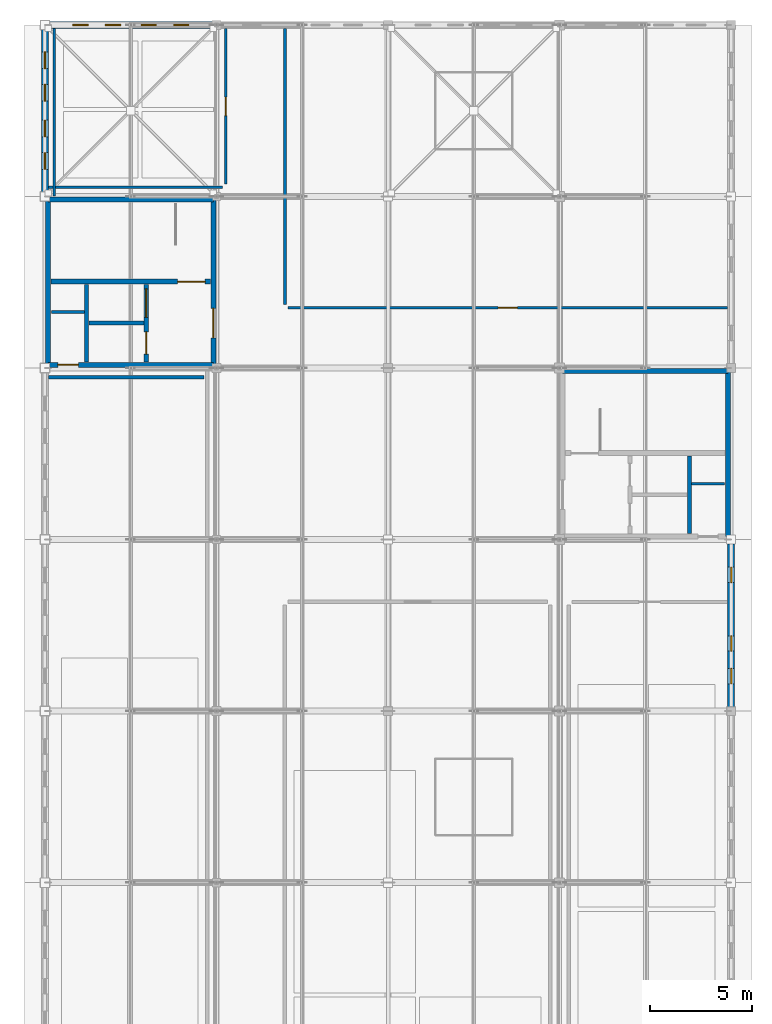
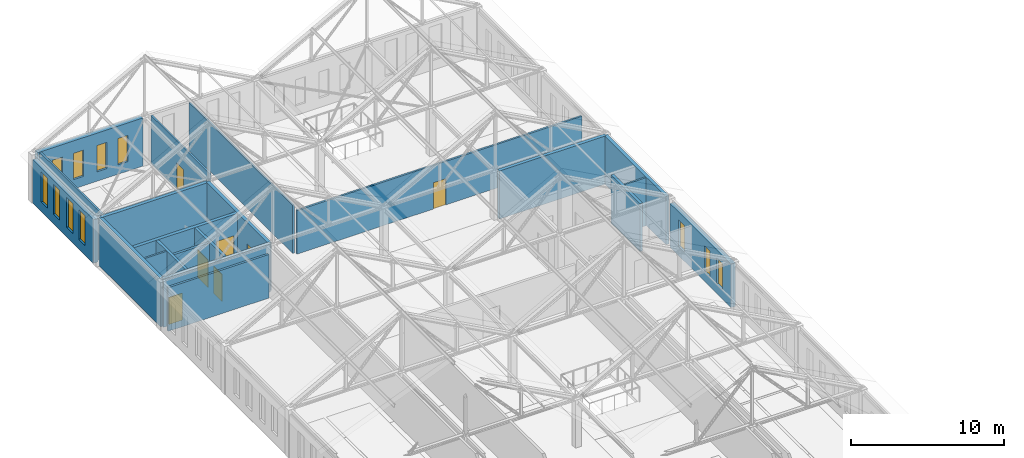
# One storey, part 34 of 36: 22 walls, 11 windows, 7 doors, 18 openings.
"""IFC4 building model written with IfcOpenShell, lengths in metres."""

from ifc_helpers import new_model, si_unit, direction, frame, frame_2d, origin, place, context, subcontext, project, spatial, rectangle, extrude, material, layer, layer_set, type_object, element, fill, save


model = new_model("IFC4")

# Units and contexts
model_context = context("Model", 3, precision=1e-05, world=origin(), true_north=direction((0.0, 1.0)))
body_context = subcontext(model_context, "Body", "Model", "MODEL_VIEW")
ifc_project = project(units=[si_unit("LENGTHUNIT", "METRE"), si_unit("AREAUNIT", "SQUARE_METRE"), si_unit("VOLUMEUNIT", "CUBIC_METRE"), si_unit("PLANEANGLEUNIT", "RADIAN"), si_unit("MASSUNIT", "GRAM", prefix="KILO")], contexts=[model_context])

# Site, building, storey
site_placement = place(None, origin())
site = spatial("IfcSite", under=ifc_project, at=site_placement, CompositionType="ELEMENT")
building_placement = place(site_placement, origin())
building = spatial("IfcBuilding", under=site, at=building_placement, Name="Kveldsbrygga Polytechnic", CompositionType="ELEMENT")
storey_placement = place(building_placement, frame((0.0, 0.0, 26.179931640625)))
storey = spatial("IfcBuildingStorey", under=building, at=storey_placement, Name="L06", CompositionType="ELEMENT", Elevation=26.179931640625)

# Wall, openings, windows
ifc_material_1 = material(Name="Fired clay brick masonry M10", Category="masonry")
ifc_layer_1 = layer(ifc_material_1, 0.340087890625)
ifc_layer_set_1 = layer_set([ifc_layer_1], Name="Fired clay brick masonry M10")
wall_type_1 = type_object("IfcWallType", Name="EW-BRICK-340", PredefinedType="SOLIDWALL", material=ifc_layer_set_1)
wall_1_placement = place(storey_placement, frame((126.22509765625, 100.800048828125, 0.0), z_axis=(0.0, 0.0, 1.0), x_axis=(1.0, 0.0, 0.0)))
wall_1 = element("IfcWall", 1, at=wall_1_placement, inside=storey, type_object=wall_type_1, Name="Exterior Brick Wall EW-L06-X-15-12", PredefinedType="SOLIDWALL", context=body_context, shape_type="SweptSolid", body=[
    extrude(rectangle(XDim=7.96484375, YDim=0.340087890625, at=frame_2d((3.982421875, 0.0))), origin(), (0.0, 0.0, 1.0), 3.840087890625),
])
opening_1_placement = place(wall_1_placement, frame((1.138427734375, 0.0, 0.75)))
opening_1 = element("IfcOpeningElement", 2, at=opening_1_placement, cuts=wall_1, Name="Opening W-27", PredefinedType="OPENING", context=body_context, shape_type="SweptSolid", body=[
    extrude(rectangle(XDim=0.75, YDim=2.10009765625, at=frame_2d((0.375, 1.050048828125))), frame((0.0, 0.18017578125, 0.0), z_axis=(0.0, -1.0, 0.0), x_axis=(1.0, 0.0, 0.0)), (0.0, 0.0, 1.0), 0.360107421875),
])
opening_2_placement = place(wall_1_placement, frame((2.7314453125, 0.0, 0.75)))
opening_2 = element("IfcOpeningElement", 3, at=opening_2_placement, cuts=wall_1, Name="Opening W-27", PredefinedType="OPENING", context=body_context, shape_type="SweptSolid", body=[
    extrude(rectangle(XDim=0.75, YDim=2.10009765625, at=frame_2d((0.375, 1.050048828125))), frame((0.0, 0.18017578125, 0.0), z_axis=(0.0, -1.0, 0.0), x_axis=(1.0, 0.0, 0.0)), (0.0, 0.0, 1.0), 0.360107421875),
])
opening_3_placement = place(wall_1_placement, frame((4.483642578125, 0.0, 0.75)))
opening_3 = element("IfcOpeningElement", 4, at=opening_3_placement, cuts=wall_1, Name="Opening W-27", PredefinedType="OPENING", context=body_context, shape_type="SweptSolid", body=[
    extrude(rectangle(XDim=0.75, YDim=2.10009765625, at=frame_2d((0.375, 1.050048828125))), frame((0.0, 0.18017578125, 0.0), z_axis=(0.0, -1.0, 0.0), x_axis=(1.0, 0.0, 0.0)), (0.0, 0.0, 1.0), 0.360107421875),
])
opening_4_placement = place(wall_1_placement, frame((6.07666015625, 0.0, 0.75)))
opening_4 = element("IfcOpeningElement", 5, at=opening_4_placement, cuts=wall_1, Name="Opening W-27", PredefinedType="OPENING", context=body_context, shape_type="SweptSolid", body=[
    extrude(rectangle(XDim=0.75, YDim=2.10009765625, at=frame_2d((0.375, 1.050048828125))), frame((0.0, 0.18017578125, 0.0), z_axis=(0.0, -1.0, 0.0), x_axis=(1.0, 0.0, 0.0)), (0.0, 0.0, 1.0), 0.360107421875),
])
ifc_material_2 = material(Name="Insulated triple low-E glass", Category="glass")
window_type_1 = type_object("IfcWindowType", Name="WN-ATTIC-075x210", PartitioningType="DOUBLE_PANEL_VERTICAL", PredefinedType="WINDOW", material=ifc_material_2)
window_1_placement = place(opening_1_placement, origin())
window_1 = element("IfcWindow", 6, at=window_1_placement, inside=storey, type_object=window_type_1, Name="Gothic Lancet Window WIN-L06-X-15-12-1", OverallHeight=2.10009765625, OverallWidth=0.75, PartitioningType="DOUBLE_PANEL_VERTICAL", PredefinedType="WINDOW", context=body_context, shape_type="SweptSolid", body=[
    extrude(rectangle(XDim=0.75, YDim=2.10009765625, at=frame_2d((0.375, 1.050048828125))), frame((0.0, 0.030029296875, 0.0), z_axis=(0.0, -1.0, 0.0), x_axis=(1.0, 0.0, 0.0)), (0.0, 0.0, 1.0), 0.06005859375),
])
fill(opening_1, window_1)
window_2_placement = place(opening_2_placement, origin())
window_2 = element("IfcWindow", 7, at=window_2_placement, inside=storey, type_object=window_type_1, Name="Gothic Lancet Window WIN-L06-X-15-12-2", OverallHeight=2.10009765625, OverallWidth=0.75, PartitioningType="DOUBLE_PANEL_VERTICAL", PredefinedType="WINDOW", context=body_context, shape_type="SweptSolid", body=[
    extrude(rectangle(XDim=0.75, YDim=2.10009765625, at=frame_2d((0.375, 1.050048828125))), frame((0.0, 0.030029296875, 0.0), z_axis=(0.0, -1.0, 0.0), x_axis=(1.0, 0.0, 0.0)), (0.0, 0.0, 1.0), 0.06005859375),
])
fill(opening_2, window_2)
window_3_placement = place(opening_3_placement, origin())
window_3 = element("IfcWindow", 8, at=window_3_placement, inside=storey, type_object=window_type_1, Name="Gothic Lancet Window WIN-L06-X-15-12-3", OverallHeight=2.10009765625, OverallWidth=0.75, PartitioningType="DOUBLE_PANEL_VERTICAL", PredefinedType="WINDOW", context=body_context, shape_type="SweptSolid", body=[
    extrude(rectangle(XDim=0.75, YDim=2.10009765625, at=frame_2d((0.375, 1.050048828125))), frame((0.0, 0.030029296875, 0.0), z_axis=(0.0, -1.0, 0.0), x_axis=(1.0, 0.0, 0.0)), (0.0, 0.0, 1.0), 0.06005859375),
])
fill(opening_3, window_3)
window_4_placement = place(opening_4_placement, origin())
window_4 = element("IfcWindow", 9, at=window_4_placement, inside=storey, type_object=window_type_1, Name="Gothic Lancet Window WIN-L06-X-15-12-4", OverallHeight=2.10009765625, OverallWidth=0.75, PartitioningType="DOUBLE_PANEL_VERTICAL", PredefinedType="WINDOW", context=body_context, shape_type="SweptSolid", body=[
    extrude(rectangle(XDim=0.75, YDim=2.10009765625, at=frame_2d((0.375, 1.050048828125))), frame((0.0, 0.030029296875, 0.0), z_axis=(0.0, -1.0, 0.0), x_axis=(1.0, 0.0, 0.0)), (0.0, 0.0, 1.0), 0.06005859375),
])
fill(opening_4, window_4)

wall_2_placement = place(storey_placement, frame((126.0, 92.625, 0.0), z_axis=(0.0, 0.0, 1.0), x_axis=(0.0, 1.0, 0.0)))
wall_2 = element("IfcWall", 10, at=wall_2_placement, inside=storey, type_object=wall_type_1, Name="Exterior Brick Wall EW-L06-Y-15-11", PredefinedType="SOLIDWALL", context=body_context, shape_type="SweptSolid", body=[
    extrude(rectangle(XDim=7.949951171875, YDim=0.340087890625, at=frame_2d((3.97509765625, 0.0))), origin(), (0.0, 0.0, 1.0), 3.47998046875),
])
opening_5_placement = place(wall_2_placement, frame((1.1005859375, 0.0, 0.75)))
opening_5 = element("IfcOpeningElement", 11, at=opening_5_placement, cuts=wall_2, Name="Opening W-12", PredefinedType="OPENING", context=body_context, shape_type="SweptSolid", body=[
    extrude(rectangle(XDim=0.820068359375, YDim=2.39990234375, at=frame_2d((0.41015625, 1.199951171875))), frame((0.0, 0.18017578125, 0.0), z_axis=(0.0, -1.0, 0.0), x_axis=(1.0, 0.0, 0.0)), (0.0, 0.0, 1.0), 0.360107421875),
])
opening_6_placement = place(wall_2_placement, frame((2.6904296875, 0.0, 0.75)))
opening_6 = element("IfcOpeningElement", 12, at=opening_6_placement, cuts=wall_2, Name="Opening W-12", PredefinedType="OPENING", context=body_context, shape_type="SweptSolid", body=[
    extrude(rectangle(XDim=0.820068359375, YDim=2.39990234375, at=frame_2d((0.41015625, 1.199951171875))), frame((0.0, 0.18017578125, 0.0), z_axis=(0.0, -1.0, 0.0), x_axis=(1.0, 0.0, 0.0)), (0.0, 0.0, 1.0), 0.360107421875),
])
opening_7_placement = place(wall_2_placement, frame((4.439453125, 0.0, 0.75)))
opening_7 = element("IfcOpeningElement", 13, at=opening_7_placement, cuts=wall_2, Name="Opening W-12", PredefinedType="OPENING", context=body_context, shape_type="SweptSolid", body=[
    extrude(rectangle(XDim=0.820068359375, YDim=2.39990234375, at=frame_2d((0.41015625, 1.199951171875))), frame((0.0, 0.18017578125, 0.0), z_axis=(0.0, -1.0, 0.0), x_axis=(1.0, 0.0, 0.0)), (0.0, 0.0, 1.0), 0.360107421875),
])
opening_8_placement = place(wall_2_placement, frame((6.029541015625, 0.0, 0.75)))
opening_8 = element("IfcOpeningElement", 14, at=opening_8_placement, cuts=wall_2, Name="Opening W-12", PredefinedType="OPENING", context=body_context, shape_type="SweptSolid", body=[
    extrude(rectangle(XDim=0.820068359375, YDim=2.39990234375, at=frame_2d((0.41015625, 1.199951171875))), frame((0.0, 0.18017578125, 0.0), z_axis=(0.0, -1.0, 0.0), x_axis=(1.0, 0.0, 0.0)), (0.0, 0.0, 1.0), 0.360107421875),
])
window_type_2 = type_object("IfcWindowType", Name="WN-LANC-082x240", PartitioningType="DOUBLE_PANEL_VERTICAL", PredefinedType="WINDOW", material=ifc_material_2)
window_5_placement = place(opening_5_placement, origin())
window_5 = element("IfcWindow", 15, at=window_5_placement, inside=storey, type_object=window_type_2, Name="Gothic Lancet Window WIN-L06-Y-15-11-1", OverallHeight=2.39990234375, OverallWidth=0.820068359375, PartitioningType="DOUBLE_PANEL_VERTICAL", PredefinedType="WINDOW", context=body_context, shape_type="SweptSolid", body=[
    extrude(rectangle(XDim=0.820068359375, YDim=2.39990234375, at=frame_2d((0.41015625, 1.199951171875))), frame((0.0, 0.030029296875, 0.0), z_axis=(0.0, -1.0, 0.0), x_axis=(1.0, 0.0, 0.0)), (0.0, 0.0, 1.0), 0.06005859375),
])
fill(opening_5, window_5)
window_6_placement = place(opening_6_placement, origin())
window_6 = element("IfcWindow", 16, at=window_6_placement, inside=storey, type_object=window_type_2, Name="Gothic Lancet Window WIN-L06-Y-15-11-2", OverallHeight=2.39990234375, OverallWidth=0.820068359375, PartitioningType="DOUBLE_PANEL_VERTICAL", PredefinedType="WINDOW", context=body_context, shape_type="SweptSolid", body=[
    extrude(rectangle(XDim=0.820068359375, YDim=2.39990234375, at=frame_2d((0.41015625, 1.199951171875))), frame((0.0, 0.030029296875, 0.0), z_axis=(0.0, -1.0, 0.0), x_axis=(1.0, 0.0, 0.0)), (0.0, 0.0, 1.0), 0.06005859375),
])
fill(opening_6, window_6)
window_7_placement = place(opening_7_placement, origin())
window_7 = element("IfcWindow", 17, at=window_7_placement, inside=storey, type_object=window_type_2, Name="Gothic Lancet Window WIN-L06-Y-15-11-3", OverallHeight=2.39990234375, OverallWidth=0.820068359375, PartitioningType="DOUBLE_PANEL_VERTICAL", PredefinedType="WINDOW", context=body_context, shape_type="SweptSolid", body=[
    extrude(rectangle(XDim=0.820068359375, YDim=2.39990234375, at=frame_2d((0.41015625, 1.199951171875))), frame((0.0, 0.030029296875, 0.0), z_axis=(0.0, -1.0, 0.0), x_axis=(1.0, 0.0, 0.0)), (0.0, 0.0, 1.0), 0.06005859375),
])
fill(opening_7, window_7)
window_8_placement = place(opening_8_placement, origin())
window_8 = element("IfcWindow", 18, at=window_8_placement, inside=storey, type_object=window_type_2, Name="Gothic Lancet Window WIN-L06-Y-15-11-4", OverallHeight=2.39990234375, OverallWidth=0.820068359375, PartitioningType="DOUBLE_PANEL_VERTICAL", PredefinedType="WINDOW", context=body_context, shape_type="SweptSolid", body=[
    extrude(rectangle(XDim=0.820068359375, YDim=2.39990234375, at=frame_2d((0.41015625, 1.199951171875))), frame((0.0, 0.030029296875, 0.0), z_axis=(0.0, -1.0, 0.0), x_axis=(1.0, 0.0, 0.0)), (0.0, 0.0, 1.0), 0.06005859375),
])
fill(opening_8, window_8)

wall_3_placement = place(storey_placement, frame((159.60009765625, 67.39501953125, 0.0), z_axis=(0.0, 0.0, 1.0), x_axis=(0.0, 1.0, 0.0)))
wall_3 = element("IfcWall", 19, at=wall_3_placement, inside=storey, type_object=wall_type_1, Name="Exterior Brick Wall EW-L06-Y-19-08", PredefinedType="SOLIDWALL", context=body_context, shape_type="SweptSolid", body=[
    extrude(rectangle(XDim=7.994873046875, YDim=0.340087890625, at=frame_2d((3.99755859375, 0.0))), origin(), (0.0, 0.0, 1.0), 3.47998046875),
])
opening_9_placement = place(wall_3_placement, frame((1.14404296875, 0.0, 0.75)))
opening_9 = element("IfcOpeningElement", 20, at=opening_9_placement, cuts=wall_3, Name="Opening W-27", PredefinedType="OPENING", context=body_context, shape_type="SweptSolid", body=[
    extrude(rectangle(XDim=0.75, YDim=2.10009765625, at=frame_2d((0.375, 1.050048828125))), frame((0.0, 0.18017578125, 0.0), z_axis=(0.0, -1.0, 0.0), x_axis=(1.0, 0.0, 0.0)), (0.0, 0.0, 1.0), 0.360107421875),
])
opening_10_placement = place(wall_3_placement, frame((2.7431640625, 0.0, 0.75)))
opening_10 = element("IfcOpeningElement", 21, at=opening_10_placement, cuts=wall_3, Name="Opening W-27", PredefinedType="OPENING", context=body_context, shape_type="SweptSolid", body=[
    extrude(rectangle(XDim=0.75, YDim=2.10009765625, at=frame_2d((0.375, 1.050048828125))), frame((0.0, 0.18017578125, 0.0), z_axis=(0.0, -1.0, 0.0), x_axis=(1.0, 0.0, 0.0)), (0.0, 0.0, 1.0), 0.360107421875),
])
opening_11_placement = place(wall_3_placement, frame((6.100830078125, 0.0, 0.75)))
opening_11 = element("IfcOpeningElement", 22, at=opening_11_placement, cuts=wall_3, Name="Opening W-27", PredefinedType="OPENING", context=body_context, shape_type="SweptSolid", body=[
    extrude(rectangle(XDim=0.75, YDim=2.10009765625, at=frame_2d((0.375, 1.050048828125))), frame((0.0, 0.18017578125, 0.0), z_axis=(0.0, -1.0, 0.0), x_axis=(1.0, 0.0, 0.0)), (0.0, 0.0, 1.0), 0.360107421875),
])
window_9_placement = place(opening_9_placement, origin())
window_9 = element("IfcWindow", 23, at=window_9_placement, inside=storey, type_object=window_type_1, Name="Gothic Lancet Window WIN-L06-Y-19-08-1", OverallHeight=2.10009765625, OverallWidth=0.75, PartitioningType="DOUBLE_PANEL_VERTICAL", PredefinedType="WINDOW", context=body_context, shape_type="SweptSolid", body=[
    extrude(rectangle(XDim=0.75, YDim=2.10009765625, at=frame_2d((0.375, 1.050048828125))), frame((0.0, 0.030029296875, 0.0), z_axis=(0.0, -1.0, 0.0), x_axis=(1.0, 0.0, 0.0)), (0.0, 0.0, 1.0), 0.06005859375),
])
fill(opening_9, window_9)
window_10_placement = place(opening_10_placement, origin())
window_10 = element("IfcWindow", 24, at=window_10_placement, inside=storey, type_object=window_type_1, Name="Gothic Lancet Window WIN-L06-Y-19-08-2", OverallHeight=2.10009765625, OverallWidth=0.75, PartitioningType="DOUBLE_PANEL_VERTICAL", PredefinedType="WINDOW", context=body_context, shape_type="SweptSolid", body=[
    extrude(rectangle(XDim=0.75, YDim=2.10009765625, at=frame_2d((0.375, 1.050048828125))), frame((0.0, 0.030029296875, 0.0), z_axis=(0.0, -1.0, 0.0), x_axis=(1.0, 0.0, 0.0)), (0.0, 0.0, 1.0), 0.06005859375),
])
fill(opening_10, window_10)
window_11_placement = place(opening_11_placement, origin())
window_11 = element("IfcWindow", 25, at=window_11_placement, inside=storey, type_object=window_type_1, Name="Gothic Lancet Window WIN-L06-Y-19-08-4", OverallHeight=2.10009765625, OverallWidth=0.75, PartitioningType="DOUBLE_PANEL_VERTICAL", PredefinedType="WINDOW", context=body_context, shape_type="SweptSolid", body=[
    extrude(rectangle(XDim=0.75, YDim=2.10009765625, at=frame_2d((0.375, 1.050048828125))), frame((0.0, 0.030029296875, 0.0), z_axis=(0.0, -1.0, 0.0), x_axis=(1.0, 0.0, 0.0)), (0.0, 0.0, 1.0), 0.06005859375),
])
fill(opening_11, window_11)

# Wall, opening, door
ifc_material_3 = material(Name="Gypsum acoustic stud partition")
ifc_layer_2 = layer(ifc_material_3, 0.139892578125)
ifc_layer_set_2 = layer_set([ifc_layer_2], Name="Gypsum acoustic stud partition")
wall_type_2 = type_object("IfcWallType", Name="IW-OFF-140", PredefinedType="PARTITIONING", material=ifc_layer_set_2)
wall_4_placement = place(storey_placement, frame((137.89990234375, 86.949951171875, 0.0), z_axis=(0.0, 0.0, 1.0), x_axis=(1.0, 0.0, 0.0)))
wall_4 = element("IfcWall", 26, at=wall_4_placement, inside=storey, type_object=wall_type_2, Name="Partition Wall IW-SP-L06-OFF61-S1", PredefinedType="PARTITIONING", context=body_context, shape_type="SweptSolid", body=[
    extrude(rectangle(XDim=21.52001953125, YDim=0.139892578125, at=frame_2d((10.760009765625, 0.0))), origin(), (0.0, 0.0, 1.0), 3.47998046875),
])
opening_12_placement = place(wall_4_placement, frame((10.284912109375, 0.0, 0.0)))
opening_12 = element("IfcOpeningElement", 27, at=opening_12_placement, cuts=wall_4, Name="Opening ID-L06-103", PredefinedType="OPENING", context=body_context, shape_type="SweptSolid", body=[
    extrude(rectangle(XDim=0.949951171875, YDim=2.10009765625, at=frame_2d((0.47509765625, 1.050048828125))), frame((0.0, 0.080078125, 0.0), z_axis=(0.0, -1.0, 0.0), x_axis=(1.0, 0.0, 0.0)), (0.0, 0.0, 1.0), 0.159912109375),
])
ifc_material_4 = material(Name="Acoustic oak timber", Category="wood")
door_type_1 = type_object("IfcDoorType", Name="ID-OFF-095x210", OperationType="NOTDEFINED", PredefinedType="DOOR", material=ifc_material_4)
door_1_placement = place(opening_12_placement, origin())
door_1 = element("IfcDoor", 28, at=door_1_placement, inside=storey, type_object=door_type_1, Name="Interior Door ID-L06-103", OperationType="SINGLE_SWING_RIGHT", OverallHeight=2.10009765625, OverallWidth=0.949951171875, PredefinedType="DOOR", context=body_context, shape_type="SweptSolid", body=[
    extrude(rectangle(XDim=0.949951171875, YDim=2.10009765625, at=frame_2d((0.47509765625, 1.050048828125))), frame((0.0, 0.02490234375, 0.0), z_axis=(0.0, -1.0, 0.0), x_axis=(1.0, 0.0, 0.0)), (0.0, 0.0, 1.0), 0.050048828125),
])
fill(opening_12, door_1)

# Walls
wall_5_placement = place(storey_placement, frame((137.75, 87.10009765625, 0.0), z_axis=(0.0, 0.0, 1.0), x_axis=(0.0, 1.0, 0.0)))
element("IfcWall", 29, at=wall_5_placement, inside=storey, type_object=wall_type_2, Name="Partition Wall IW-SP-L06-OFF61-W1", PredefinedType="PARTITIONING", context=body_context, shape_type="SweptSolid", body=[
    extrude(rectangle(XDim=13.52001953125, YDim=0.139892578125, at=frame_2d((6.760009765625, 0.0))), origin(), (0.0, 0.0, 1.0), 3.840087890625),
])
ifc_material_5 = material(Name="Moisture-resistant masonry M10", Category="masonry")
ifc_layer_3 = layer(ifc_material_5, 0.1298828125)
ifc_layer_set_3 = layer_set([ifc_layer_3], Name="Moisture-resistant masonry M10")
wall_type_3 = type_object("IfcWallType", Name="IW-SAN-130", PredefinedType="PARTITIONING", material=ifc_layer_set_3)
wall_6_placement = place(storey_placement, frame((126.320068359375, 86.739990234375, 0.0), z_axis=(0.0, 0.0, 1.0), x_axis=(1.0, 0.0, 0.0)))
element("IfcWall", 30, at=wall_6_placement, inside=storey, type_object=wall_type_3, Name="Core AWC Divider C2-L06-W-RSR", PredefinedType="PARTITIONING", context=body_context, shape_type="SweptSolid", body=[
    extrude(rectangle(XDim=1.619873046875, YDim=0.1298828125, at=frame_2d((0.81005859375, 0.0))), origin(), (0.0, 0.0, 1.0), 3.840087890625),
])
wall_7_placement = place(storey_placement, frame((157.659912109375, 78.340087890625, 0.0), z_axis=(0.0, 0.0, 1.0), x_axis=(1.0, 0.0, 0.0)))
element("IfcWall", 31, at=wall_7_placement, inside=storey, type_object=wall_type_3, Name="Core AWC Divider C4-L06-W-RSR", PredefinedType="PARTITIONING", context=body_context, shape_type="SweptSolid", body=[
    extrude(rectangle(XDim=1.6201171875, YDim=0.1298828125, at=frame_2d((0.81005859375, 0.0))), origin(), (0.0, 0.0, 1.0), 3.840087890625),
])

# Wall, opening, door
wall_8_placement = place(storey_placement, frame((134.85009765625, 93.0, 0.0), z_axis=(0.0, 0.0, 1.0), x_axis=(0.0, 1.0, 0.0)))
wall_8 = element("IfcWall", 32, at=wall_8_placement, inside=storey, type_object=wall_type_3, Name="Partition Wall IW-SP-L06-WC1-E1", PredefinedType="PARTITIONING", context=body_context, shape_type="SweptSolid", body=[
    extrude(rectangle(XDim=7.6201171875, YDim=0.1298828125, at=frame_2d((3.81005859375, 0.0))), origin(), (0.0, 0.0, 1.0), 3.840087890625),
])
opening_13_placement = place(wall_8_placement, frame((3.360107421875, 0.0, 0.0)))
opening_13 = element("IfcOpeningElement", 33, at=opening_13_placement, cuts=wall_8, Name="Opening ID-L06-105", PredefinedType="OPENING", context=body_context, shape_type="SweptSolid", body=[
    extrude(rectangle(XDim=0.89990234375, YDim=2.10009765625, at=frame_2d((0.449951171875, 1.050048828125))), frame((0.0, 0.074951171875, 0.0), z_axis=(0.0, -1.0, 0.0), x_axis=(1.0, 0.0, 0.0)), (0.0, 0.0, 1.0), 0.14990234375),
])
door_type_2 = type_object("IfcDoorType", Name="ID-SAN-090x210", OperationType="NOTDEFINED", PredefinedType="DOOR", material=ifc_material_4)
door_2_placement = place(opening_13_placement, origin())
door_2 = element("IfcDoor", 34, at=door_2_placement, inside=storey, type_object=door_type_2, Name="Interior Door ID-L06-105", OperationType="SINGLE_SWING_LEFT", OverallHeight=2.10009765625, OverallWidth=0.89990234375, PredefinedType="DOOR", context=body_context, shape_type="SweptSolid", body=[
    extrude(rectangle(XDim=0.89990234375, YDim=2.10009765625, at=frame_2d((0.449951171875, 1.050048828125))), frame((0.0, 0.02490234375, 0.0), z_axis=(0.0, -1.0, 0.0), x_axis=(1.0, 0.0, 0.0)), (0.0, 0.0, 1.0), 0.050048828125),
])
fill(opening_13, door_2)

# Walls
wall_9_placement = place(storey_placement, frame((126.179931640625, 92.85009765625, 0.0), z_axis=(0.0, 0.0, 1.0), x_axis=(1.0, 0.0, 0.0)))
element("IfcWall", 35, at=wall_9_placement, inside=storey, type_object=wall_type_3, Name="Partition Wall IW-SP-L06-WC1-S1", PredefinedType="PARTITIONING", context=body_context, shape_type="SweptSolid", body=[
    extrude(rectangle(XDim=8.52001953125, YDim=0.1298828125, at=frame_2d((4.260009765625, 0.0))), origin(), (0.0, 0.0, 1.0), 3.47998046875),
])
wall_10_placement = place(storey_placement, frame((126.449951171875, 92.429931640625, 0.0), z_axis=(0.0, 0.0, 1.0), x_axis=(0.0, 1.0, 0.0)))
element("IfcWall", 36, at=wall_10_placement, inside=storey, type_object=wall_type_3, Name="Partition Wall IW-SP-L06-WC1-W1", PredefinedType="PARTITIONING", context=body_context, shape_type="SweptSolid", body=[
    extrude(rectangle(XDim=8.190185546875, YDim=0.1298828125, at=frame_2d((4.09521484375, 0.0))), origin(), (0.0, 0.0, 1.0), 3.840087890625),
])
ifc_layer_4 = layer(ifc_material_3, 0.159912109375)
ifc_layer_set_4 = layer_set([ifc_layer_4], Name="Gypsum acoustic stud partition")
wall_type_4 = type_object("IfcWallType", Name="IW-STD-160", PredefinedType="PARTITIONING", material=ifc_layer_set_4)
wall_11_placement = place(storey_placement, frame((126.179931640625, 83.550048828125, 0.0), z_axis=(0.0, 0.0, 1.0), x_axis=(1.0, 0.0, 0.0)))
element("IfcWall", 37, at=wall_11_placement, inside=storey, type_object=wall_type_4, Name="Partition Wall IW-SP-L06-STD61-N1", PredefinedType="PARTITIONING", context=body_context, shape_type="SweptSolid", body=[
    extrude(rectangle(XDim=7.6201171875, YDim=0.159912109375, at=frame_2d((3.81005859375, 0.0))), origin(), (0.0, 0.0, 1.0), 3.47998046875),
])

# Wall, opening, door
ifc_material_6 = material(Name="Concrete C45/55", Category="concrete")
ifc_layer_5 = layer(ifc_material_6, 0.25)
ifc_layer_set_5 = layer_set([ifc_layer_5], Name="Concrete C45/55")
wall_type_5 = type_object("IfcWallType", Name="WL-CORE-250", PredefinedType="SHEAR", material=ifc_layer_set_5)
wall_12_placement = place(storey_placement, frame((126.14990234375, 84.14990234375, 0.0), z_axis=(0.0, 0.0, 1.0), x_axis=(1.0, 0.0, 0.0)))
wall_12 = element("IfcWall", 38, at=wall_12_placement, inside=storey, type_object=wall_type_5, Name="Core C2 Shear Wall C2-L06-SW-S", PredefinedType="SHEAR", context=body_context, shape_type="SweptSolid", body=[
    extrude(rectangle(XDim=8.10009765625, YDim=0.25, at=frame_2d((4.050048828125, 0.0))), origin(), (0.0, 0.0, 1.0), 3.840087890625),
])
opening_14_placement = place(wall_12_placement, frame((0.485107421875, 0.0, 0.0)))
opening_14 = element("IfcOpeningElement", 39, at=opening_14_placement, cuts=wall_12, Name="Opening ID-C2-L06-AWC", PredefinedType="OPENING", context=body_context, shape_type="SweptSolid", body=[
    extrude(rectangle(XDim=1.0, YDim=2.14990234375, at=frame_2d((0.5, 1.074951171875))), frame((0.0, 0.135009765625, 0.0), z_axis=(0.0, -1.0, 0.0), x_axis=(1.0, 0.0, 0.0)), (0.0, 0.0, 1.0), 0.27001953125),
])
door_type_3 = type_object("IfcDoorType", Name="ID-AWC-100x215", OperationType="NOTDEFINED", PredefinedType="DOOR", material=ifc_material_4)
door_3_placement = place(opening_14_placement, origin())
door_3 = element("IfcDoor", 40, at=door_3_placement, inside=storey, type_object=door_type_3, Name="Accessible WC Door ID-C2-L06-AWC", OperationType="SINGLE_SWING_RIGHT", OverallHeight=2.14990234375, OverallWidth=1.0, PredefinedType="DOOR", context=body_context, shape_type="SweptSolid", body=[
    extrude(rectangle(XDim=1.0, YDim=2.14990234375, at=frame_2d((0.5, 1.074951171875))), frame((0.0, 0.02490234375, 0.0), z_axis=(0.0, -1.0, 0.0), x_axis=(1.0, 0.0, 0.0)), (0.0, 0.0, 1.0), 0.050048828125),
])
fill(opening_14, door_3)

# Walls
for number, where, z_axis, x_axis, name in (
    (41, (126.14990234375, 92.25, 0.0), (0.0, 0.0, 1.0), (1.0, 0.0, 0.0), "Core C2 Shear Wall C2-L06-SW-N"),
    (42, (126.14990234375, 84.14990234375, 0.0), (0.0, 0.0, 1.0), (0.0, 1.0, 0.0), "Core C2 Shear Wall C2-L06-SW-W"),
):
    element("IfcWall", number, at=place(storey_placement, frame(where, z_axis=z_axis, x_axis=x_axis)), inside=storey, type_object=wall_type_5, Name=name, PredefinedType="SHEAR", context=body_context, shape_type="SweptSolid", body=[
        extrude(rectangle(XDim=8.10009765625, YDim=0.25, at=frame_2d((4.050048828125, 0.0))), origin(), (0.0, 0.0, 1.0), 3.840087890625),
    ])

# Wall, opening, door
wall_13_placement = place(storey_placement, frame((134.25, 84.14990234375, 0.0), z_axis=(0.0, 0.0, 1.0), x_axis=(0.0, 1.0, 0.0)))
wall_13 = element("IfcWall", 43, at=wall_13_placement, inside=storey, type_object=wall_type_5, Name="Core C2 Shear Wall C2-L06-SW-E", PredefinedType="SHEAR", context=body_context, shape_type="SweptSolid", body=[
    extrude(rectangle(XDim=8.10009765625, YDim=0.25, at=frame_2d((4.050048828125, 0.0))), origin(), (0.0, 0.0, 1.0), 3.840087890625),
])
opening_15_placement = place(wall_13_placement, frame((1.324951171875, 0.0, 0.0)))
opening_15 = element("IfcOpeningElement", 44, at=opening_15_placement, cuts=wall_13, Name="Opening FD-C2-L06-LOB", PredefinedType="OPENING", context=body_context, shape_type="SweptSolid", body=[
    extrude(rectangle(XDim=1.449951171875, YDim=2.14990234375, at=frame_2d((0.72509765625, 1.074951171875))), frame((0.0, 0.135009765625, 0.0), z_axis=(0.0, -1.0, 0.0), x_axis=(1.0, 0.0, 0.0)), (0.0, 0.0, 1.0), 0.27001953125),
])
ifc_material_7 = material(Name="Powder-coated galvanised steel", Category="steel")
door_type_4 = type_object("IfcDoorType", Name="ID-LOBBY-145x215", OperationType="DOUBLE_DOOR_SINGLE_SWING", PredefinedType="DOOR", material=ifc_material_7)
door_4_placement = place(opening_15_placement, origin())
door_4 = element("IfcDoor", 45, at=door_4_placement, inside=storey, type_object=door_type_4, Name="Core Lobby Fire Door FD-C2-L06-LOB", OperationType="DOUBLE_DOOR_SINGLE_SWING", OverallHeight=2.14990234375, OverallWidth=1.449951171875, PredefinedType="DOOR", context=body_context, shape_type="SweptSolid", body=[
    extrude(rectangle(XDim=1.449951171875, YDim=2.14990234375, at=frame_2d((0.72509765625, 1.074951171875))), frame((0.0, 0.02490234375, 0.0), z_axis=(0.0, -1.0, 0.0), x_axis=(1.0, 0.0, 0.0)), (0.0, 0.0, 1.0), 0.050048828125),
])
fill(opening_15, door_4)

wall_14_placement = place(storey_placement, frame((126.300048828125, 88.22998046875, 0.0), z_axis=(0.0, 0.0, 1.0), x_axis=(1.0, 0.0, 0.0)))
wall_14 = element("IfcWall", 46, at=wall_14_placement, inside=storey, type_object=wall_type_5, Name="Core C2 Shear Wall C2-L06-W-DIV", PredefinedType="SHEAR", context=body_context, shape_type="SweptSolid", body=[
    extrude(rectangle(XDim=7.800048828125, YDim=0.25, at=frame_2d((3.89990234375, 0.0))), origin(), (0.0, 0.0, 1.0), 3.840087890625),
])
opening_16_placement = place(wall_14_placement, frame((6.199951171875, 0.0, 0.0)))
opening_16 = element("IfcOpeningElement", 47, at=opening_16_placement, cuts=wall_14, Name="Opening FD-C2-L06-ST", PredefinedType="OPENING", context=body_context, shape_type="SweptSolid", body=[
    extrude(rectangle(XDim=1.35009765625, YDim=2.14990234375, at=frame_2d((0.675048828125, 1.074951171875))), frame((0.0, 0.135009765625, 0.0), z_axis=(0.0, -1.0, 0.0), x_axis=(1.0, 0.0, 0.0)), (0.0, 0.0, 1.0), 0.27001953125),
])
door_type_5 = type_object("IfcDoorType", Name="ID-STAIR-135x215", OperationType="NOTDEFINED", PredefinedType="DOOR", material=ifc_material_7)
door_5_placement = place(opening_16_placement, origin())
door_5 = element("IfcDoor", 48, at=door_5_placement, inside=storey, type_object=door_type_5, Name="Stair Fire Door FD-C2-L06-ST", OperationType="SINGLE_SWING_LEFT", OverallHeight=2.14990234375, OverallWidth=1.35009765625, PredefinedType="DOOR", context=body_context, shape_type="SweptSolid", body=[
    extrude(rectangle(XDim=1.35009765625, YDim=2.14990234375, at=frame_2d((0.675048828125, 1.074951171875))), frame((0.0, 0.02490234375, 0.0), z_axis=(0.0, -1.0, 0.0), x_axis=(1.0, 0.0, 0.0)), (0.0, 0.0, 1.0), 0.050048828125),
])
fill(opening_16, door_5)

# Walls
wall_15_placement = place(storey_placement, frame((151.35009765625, 83.85009765625, 0.0), z_axis=(0.0, 0.0, 1.0), x_axis=(1.0, 0.0, 0.0)))
element("IfcWall", 49, at=wall_15_placement, inside=storey, type_object=wall_type_5, Name="Core C4 Shear Wall C4-L06-SW-N", PredefinedType="SHEAR", context=body_context, shape_type="SweptSolid", body=[
    extrude(rectangle(XDim=8.099853515625, YDim=0.25, at=frame_2d((4.0498046875, 0.0))), origin(), (0.0, 0.0, 1.0), 3.840087890625),
])
wall_16_placement = place(storey_placement, frame((159.449951171875, 75.75, 0.0), z_axis=(0.0, 0.0, 1.0), x_axis=(0.0, 1.0, 0.0)))
element("IfcWall", 50, at=wall_16_placement, inside=storey, type_object=wall_type_5, Name="Core C4 Shear Wall C4-L06-SW-E", PredefinedType="SHEAR", context=body_context, shape_type="SweptSolid", body=[
    extrude(rectangle(XDim=8.10009765625, YDim=0.25, at=frame_2d((4.050048828125, 0.0))), origin(), (0.0, 0.0, 1.0), 3.840087890625),
])
ifc_material_8 = material(Name="Concrete C35/45", Category="concrete")
ifc_layer_6 = layer(ifc_material_8, 0.179931640625)
ifc_layer_set_6 = layer_set([ifc_layer_6], Name="Concrete C35/45")
wall_type_6 = type_object("IfcWallType", Name="WL-SHFT-180", PredefinedType="SHEAR", material=ifc_layer_set_6)
wall_17_placement = place(storey_placement, frame((128.14990234375, 86.199951171875, 0.0), z_axis=(0.0, 0.0, 1.0), x_axis=(1.0, 0.0, 0.0)))
element("IfcWall", 51, at=wall_17_placement, inside=storey, type_object=wall_type_6, Name="Lift Divider Wall C2-L06-W-LMID", PredefinedType="SHEAR", context=body_context, shape_type="SweptSolid", body=[
    extrude(rectangle(XDim=2.7001953125, YDim=0.179931640625, at=frame_2d((1.35009765625, 0.0))), origin(), (0.0, 0.0, 1.0), 3.840087890625),
])

# Wall, openings, doors
ifc_layer_7 = layer(ifc_material_8, 0.199951171875)
ifc_layer_set_7 = layer_set([ifc_layer_7], Name="Concrete C35/45")
wall_type_7 = type_object("IfcWallType", Name="WL-SHFT-200", PredefinedType="SHEAR", material=ifc_layer_set_7)
wall_18_placement = place(storey_placement, frame((130.9599609375, 84.300048828125, 0.0), z_axis=(0.0, 0.0, 1.0), x_axis=(0.0, 1.0, 0.0)))
wall_18 = element("IfcWall", 52, at=wall_18_placement, inside=storey, type_object=wall_type_7, Name="Lift Front Wall C2-L06-W-LFR", PredefinedType="SHEAR", context=body_context, shape_type="SweptSolid", body=[
    extrude(rectangle(XDim=3.800048828125, YDim=0.199951171875, at=frame_2d((1.89990234375, 0.0))), origin(), (0.0, 0.0, 1.0), 3.840087890625),
])
opening_17_placement = place(wall_18_placement, frame((0.375, 0.0, 0.0)))
opening_17 = element("IfcOpeningElement", 53, at=opening_17_placement, cuts=wall_18, Name="Opening LD-LP-2", PredefinedType="OPENING", context=body_context, shape_type="SweptSolid", body=[
    extrude(rectangle(XDim=1.10009765625, YDim=2.14990234375, at=frame_2d((0.550048828125, 1.074951171875))), frame((0.0, 0.10986328125, 0.0), z_axis=(0.0, -1.0, 0.0), x_axis=(1.0, 0.0, 0.0)), (0.0, 0.0, 1.0), 0.219970703125),
])
opening_18_placement = place(wall_18_placement, frame((2.175048828125, 0.0, 0.0)))
opening_18 = element("IfcOpeningElement", 54, at=opening_18_placement, cuts=wall_18, Name="Opening LD-GL-1", PredefinedType="OPENING", context=body_context, shape_type="SweptSolid", body=[
    extrude(rectangle(XDim=1.39990234375, YDim=2.199951171875, at=frame_2d((0.699951171875, 1.10009765625))), frame((0.0, 0.10986328125, 0.0), z_axis=(0.0, -1.0, 0.0), x_axis=(1.0, 0.0, 0.0)), (0.0, 0.0, 1.0), 0.219970703125),
])
ifc_material_9 = material(Name="Brushed stainless steel EN 1.4401", Category="steel")
door_type_6 = type_object("IfcDoorType", Name="LD-GDS-140x220", OperationType="SLIDING_TO_LEFT", PredefinedType="DOOR", material=ifc_material_9)
door_6_placement = place(opening_18_placement, origin())
door_6 = element("IfcDoor", 55, at=door_6_placement, inside=storey, type_object=door_type_6, Name="Lift Landing Sliding Door LD-GL-1-L06", OperationType="SLIDING_TO_LEFT", OverallHeight=2.199951171875, OverallWidth=1.39990234375, PredefinedType="DOOR", context=body_context, shape_type="SweptSolid", body=[
    extrude(rectangle(XDim=1.39990234375, YDim=2.199951171875, at=frame_2d((0.699951171875, 1.10009765625))), frame((0.0, 0.02490234375, 0.0), z_axis=(0.0, -1.0, 0.0), x_axis=(1.0, 0.0, 0.0)), (0.0, 0.0, 1.0), 0.050048828125),
])
fill(opening_18, door_6)
door_type_7 = type_object("IfcDoorType", Name="LD-PAX-110x215", OperationType="SLIDING_TO_LEFT", PredefinedType="DOOR", material=ifc_material_9)
door_7_placement = place(opening_17_placement, origin())
door_7 = element("IfcDoor", 56, at=door_7_placement, inside=storey, type_object=door_type_7, Name="Lift Landing Sliding Door LD-LP-2-L06", OperationType="SLIDING_TO_LEFT", OverallHeight=2.14990234375, OverallWidth=1.10009765625, PredefinedType="DOOR", context=body_context, shape_type="SweptSolid", body=[
    extrude(rectangle(XDim=1.10009765625, YDim=2.14990234375, at=frame_2d((0.550048828125, 1.074951171875))), frame((0.0, 0.02490234375, 0.0), z_axis=(0.0, -1.0, 0.0), x_axis=(1.0, 0.0, 0.0)), (0.0, 0.0, 1.0), 0.050048828125),
])
fill(opening_17, door_7)

# Walls
for number, where, z_axis, x_axis, name in (
    (57, (128.0400390625, 84.300048828125, 0.0), (0.0, 0.0, 1.0), (0.0, 1.0, 0.0), "Lift Back Wall C2-L06-W-LBK"),
    (58, (157.56005859375, 75.89990234375, 0.0), (0.0, 0.0, 1.0), (0.0, 1.0, 0.0), "Lift Back Wall C4-L06-W-LBK"),
):
    element("IfcWall", number, at=place(storey_placement, frame(where, z_axis=z_axis, x_axis=x_axis)), inside=storey, type_object=wall_type_7, Name=name, PredefinedType="SHEAR", context=body_context, shape_type="SweptSolid", body=[
        extrude(rectangle(XDim=3.800048828125, YDim=0.199951171875, at=frame_2d((1.89990234375, 0.0))), origin(), (0.0, 0.0, 1.0), 3.840087890625),
    ])

save(model, "model.ifc")
